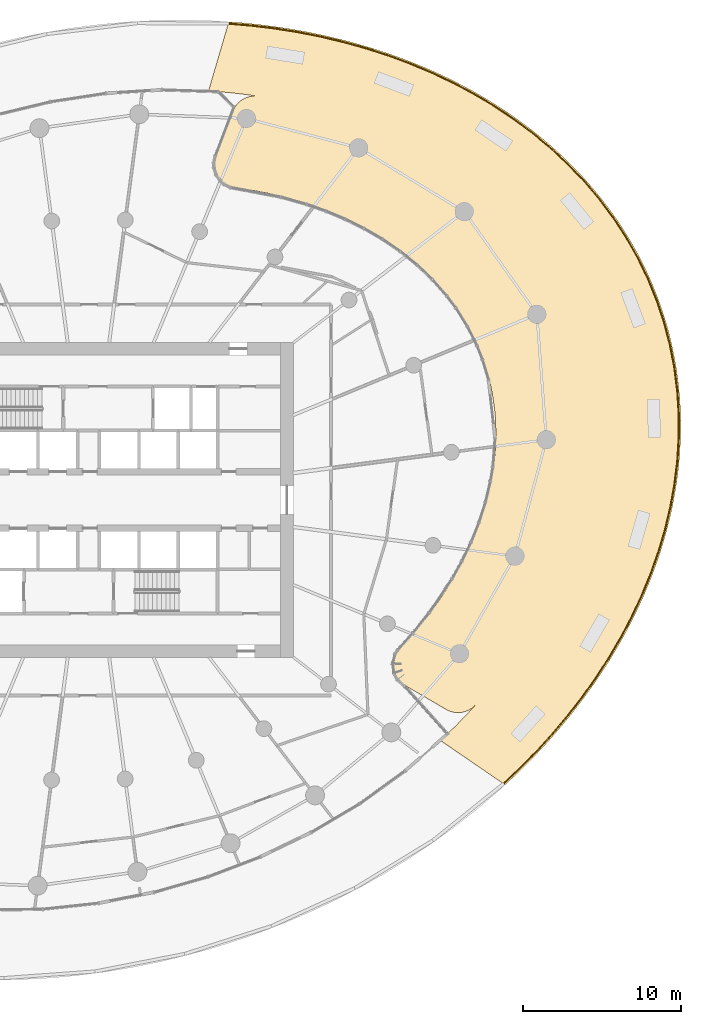
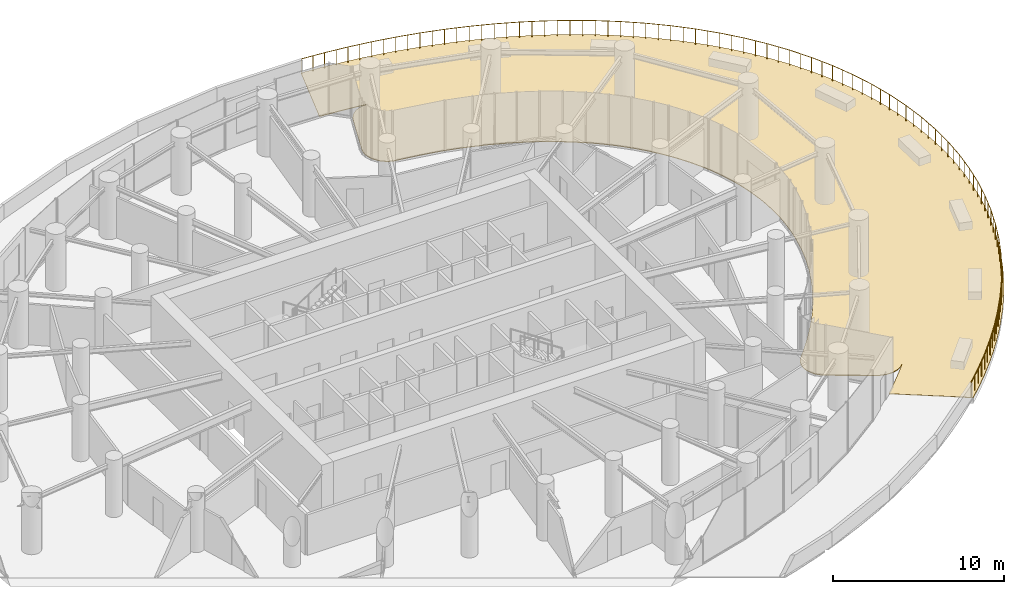
# One storey, part 23 of 24: 1 covering, 1 railing.
"""IFC4 building model written with IfcOpenShell, lengths in metres."""

import ifcopenshell
import ifcopenshell.guid

model = None  # the IFC model being written
_history = None  # IfcOwnerHistory: only IFC2X3 demands one
_inside = {}  # id of a spatial element -> (the spatial element, [elements in it])
_under = {}  # id of a project, library or spatial element -> (it, [spatial elements below it])
_declared = {}  # id of a project -> (the project, [libraries it declares])
_typed = {}  # id of a type object -> (the type object, [elements of that type])
_made_of = {}  # id of a material, layer set ... -> (it, [elements and type objects made of it])


def new_model(schema):
    """Start an empty IFC model of exactly this schema.

    Asked for "IFC4X3", IfcOpenShell would pick the latest addendum, in which some entities
    have other attributes; the version numbers below select the first issue.
    IFC2X3 requires an IfcOwnerHistory on every rooted entity: one is made here for all.
    """
    global model, _history
    if schema == "IFC4X3":
        model = ifcopenshell.file(schema_version=(4, 3, 0, 0))
    else:
        model = ifcopenshell.file(schema=schema)
    _inside.clear()
    _under.clear()
    _declared.clear()
    _typed.clear()
    _made_of.clear()
    _history = None
    if model.schema == "IFC2X3":
        org = make("IfcOrganization", Name="unknown")
        user = make(
            "IfcPersonAndOrganization",
            ThePerson=make("IfcPerson", FamilyName="unknown"),
            TheOrganization=org,
        )
        app = make(
            "IfcApplication",
            ApplicationDeveloper=org,
            Version="unknown",
            ApplicationFullName="unknown",
            ApplicationIdentifier="unknown",
        )
        _history = make(
            "IfcOwnerHistory",
            OwningUser=user,
            OwningApplication=app,
            ChangeAction="ADDED",
            CreationDate=0,
        )
    return model


def make(cls, **values):
    """One entity of the class cls with the attributes given. An attribute that is None is left unset."""
    return model.create_entity(
        cls, **{name: value for name, value in values.items() if value is not None}
    )


def rooted(cls, **values):
    """An entity with a GlobalId (a new one), such as an element, a storey or a relation."""
    return make(cls, GlobalId=ifcopenshell.guid.new(), OwnerHistory=_history, **values)


def si_unit(unit_type, name, prefix=None):
    """IfcSIUnit, for example si_unit("LENGTHUNIT", "METRE", prefix="MILLI")."""
    return make("IfcSIUnit", UnitType=unit_type, Prefix=prefix, Name=name)


def assignment(units):
    """IfcUnitAssignment: the units of a project."""
    return None if units is None else make("IfcUnitAssignment", Units=units)


def point(xyz):
    """IfcCartesianPoint."""
    return None if xyz is None else make("IfcCartesianPoint", Coordinates=xyz)


def direction(xyz):
    """IfcDirection."""
    return None if xyz is None else make("IfcDirection", DirectionRatios=xyz)


def frame(location, z_axis=None, x_axis=None):
    """IfcAxis2Placement3D, a coordinate frame: its origin and axes. An axis left out is left unset."""
    return make(
        "IfcAxis2Placement3D",
        Location=point(location),
        Axis=direction(z_axis),
        RefDirection=direction(x_axis),
    )


def frame_2d(location, x_axis=None):
    """IfcAxis2Placement2D, a coordinate frame in the plane: its origin and x axis."""
    return make(
        "IfcAxis2Placement2D", Location=point(location), RefDirection=direction(x_axis)
    )


def origin():
    """The frame at (0, 0, 0) with its axes left unset."""
    return frame((0.0, 0.0, 0.0))


def origin_2d():
    """The frame at (0, 0) in the plane with its x axis left unset."""
    return frame_2d((0.0, 0.0))


def place(relative_to, where):
    """IfcLocalPlacement: puts the frame where relative to a parent placement (None: the world)."""
    return make(
        "IfcLocalPlacement", PlacementRelTo=relative_to, RelativePlacement=where
    )


def context(
    kind, dimensions, precision=None, world=None, true_north=None, identifier=None
):
    """IfcGeometricRepresentationContext, for example the 3D "Model" context."""
    return make(
        "IfcGeometricRepresentationContext",
        ContextIdentifier=identifier,
        ContextType=kind,
        CoordinateSpaceDimension=dimensions,
        Precision=precision,
        WorldCoordinateSystem=world,
        TrueNorth=true_north,
    )


def subcontext(parent, identifier, kind, view, scale=None):
    """IfcGeometricRepresentationSubContext, for example "Body" below "Model"."""
    return make(
        "IfcGeometricRepresentationSubContext",
        ContextIdentifier=identifier,
        ContextType=kind,
        ParentContext=parent,
        TargetScale=scale,
        TargetView=view,
    )


def project(units=None, contexts=None):
    """IfcProject with its units and contexts."""
    return rooted(
        "IfcProject",
        Name="project",
        RepresentationContexts=contexts,
        UnitsInContext=assignment(units),
    )


def spatial(cls, under=None, at=None, **own):
    """A site, building, storey or space (cls), placed at a placement, below another one or the project."""
    s = rooted(cls, ObjectPlacement=at, **own)
    if under is not None:
        _under.setdefault(under.id(), (under, []))[1].append(s)
    return s


def point_list(points):
    """IfcCartesianPointList2D or 3D."""
    cls = (
        "IfcCartesianPointList2D" if len(points[0]) == 2 else "IfcCartesianPointList3D"
    )
    return make(cls, CoordList=points)


def line(*indices):
    """IfcLineIndex: a straight run through numbered points of an indexed curve."""
    return model.create_entity("IfcLineIndex", indices)


def indexed_curve(points, segments=None, self_intersect=None):
    """IfcIndexedPolyCurve: lines and arcs through numbered points (the first is 1)."""
    return make(
        "IfcIndexedPolyCurve",
        Points=point_list(points),
        Segments=segments,
        SelfIntersect=self_intersect,
    )


def profile(cls, at=None, kind="AREA", **sizes):
    """A parametric profile (cls). Its sizes go by their IFC names, for example OverallWidth=200.0."""
    return make(cls, ProfileType=kind, Position=at, **sizes)


def circle(**sizes):
    """IfcCircleProfileDef."""
    return profile("IfcCircleProfileDef", **sizes)


def outline(outer, holes=None, kind="AREA"):
    """IfcArbitraryClosedProfileDef: a profile drawn as a closed curve; with holes, ...WithVoids."""
    if holes is None:
        return make("IfcArbitraryClosedProfileDef", ProfileType=kind, OuterCurve=outer)
    return make(
        "IfcArbitraryProfileDefWithVoids",
        ProfileType=kind,
        OuterCurve=outer,
        InnerCurves=holes,
    )


def extrude(swept, where, along, depth):
    """IfcExtrudedAreaSolid: the profile swept, set in the frame where, extruded along a direction by depth."""
    return make(
        "IfcExtrudedAreaSolid",
        SweptArea=swept,
        Position=where,
        ExtrudedDirection=direction(along),
        Depth=depth,
    )


def shape(context_of_items, identifier, shape_type, items):
    """IfcShapeRepresentation: the items that make up one representation, for example the "Body"."""
    return make(
        "IfcShapeRepresentation",
        ContextOfItems=context_of_items,
        RepresentationIdentifier=identifier,
        RepresentationType=shape_type,
        Items=items,
    )


def material(Name=None, Category=None):
    """IfcMaterial."""
    return make("IfcMaterial", Name=Name, Category=Category)


def layer(
    of_material, thickness, ventilated=None, Name=None, Category=None, Priority=None
):
    """IfcMaterialLayer: one layer of a wall or slab, of a material (None: an air gap)."""
    return make(
        "IfcMaterialLayer",
        Material=of_material,
        LayerThickness=thickness,
        IsVentilated=ventilated,
        Name=Name,
        Category=Category,
        Priority=Priority,
    )


def layer_set(layers, Name=None):
    """IfcMaterialLayerSet."""
    return make("IfcMaterialLayerSet", MaterialLayers=layers, LayerSetName=Name)


def made_of(thing, what):
    """Note that an element or type object is made of a material, layer set ...; save() writes the relation."""
    if what is not None:
        _made_of.setdefault(what.id(), (what, []))[1].append(thing)
    return thing


def type_object(cls, material=None, **own):
    """A type object (cls), such as IfcWallType, which elements share."""
    return made_of(rooted(cls, **own), material)


def element(
    cls,
    number,
    at=None,
    inside=None,
    cuts=None,
    type_object=None,
    material=None,
    context=None,
    identifier="Body",
    shape_type=None,
    held_by="IfcProductDefinitionShape",
    body=None,
    shapes=None,
    **own,
):
    """One element of the class cls, such as IfcWall. Its Tag is "e" and its number.

    at: its placement. inside: the storey or other place that contains it. cuts: it is an
    opening in that element (IfcRelVoidsElement). A single representation is given by context,
    identifier, shape_type and body (its items); several are given by shapes. held_by: the class
    of the entity that holds the representations. save() writes the other relations.
    """
    e = rooted(cls, Tag="e%d" % number, ObjectPlacement=at, **own)
    if body is not None:
        shapes = [shape(context, identifier, shape_type, body)]
    if shapes is not None:
        e.Representation = make(held_by, Representations=shapes)
    if inside is not None:
        _inside.setdefault(inside.id(), (inside, []))[1].append(e)
    if cuts is not None:
        rooted(
            "IfcRelVoidsElement", RelatingBuildingElement=cuts, RelatedOpeningElement=e
        )
    if type_object is not None:
        _typed.setdefault(type_object.id(), (type_object, []))[1].append(e)
    return made_of(e, material)


def aggregate(whole, parts):
    """IfcRelAggregates: a whole, such as a stair, and the parts it consists of."""
    return rooted("IfcRelAggregates", RelatingObject=whole, RelatedObjects=parts)


def save(model, path):
    """Write the relations noted so far, then the file.

    IfcRelAggregates (storeys below a building ...), IfcRelContainedInSpatialStructure (elements
    in a storey), IfcRelDefinesByType, IfcRelAssociatesMaterial and IfcRelDeclares: one each for
    every whole, place, type object, material and project.
    """
    for whole, parts in _under.values():
        aggregate(whole, parts)
    for where, things in _inside.values():
        rooted(
            "IfcRelContainedInSpatialStructure",
            RelatedElements=things,
            RelatingStructure=where,
        )
    for kind, things in _typed.values():
        rooted("IfcRelDefinesByType", RelatedObjects=things, RelatingType=kind)
    for what, things in _made_of.values():
        rooted("IfcRelAssociatesMaterial", RelatedObjects=things, RelatingMaterial=what)
    for by, libraries in _declared.values():
        rooted("IfcRelDeclares", RelatingContext=by, RelatedDefinitions=libraries)
    model.write(path)


model = new_model("IFC4")

# Units and contexts
model_context = context("Model", 3, precision=1e-05, world=origin(), true_north=direction((0.0, 1.0)))
body_context = subcontext(model_context, "Body", "Model", "MODEL_VIEW")
ifc_project = project(units=[si_unit("LENGTHUNIT", "METRE"), si_unit("AREAUNIT", "SQUARE_METRE"), si_unit("VOLUMEUNIT", "CUBIC_METRE"), si_unit("PLANEANGLEUNIT", "RADIAN"), si_unit("MASSUNIT", "GRAM", prefix="KILO")], contexts=[model_context])

# Site, building, storey
site_placement = place(None, origin())
site = spatial("IfcSite", under=ifc_project, at=site_placement, CompositionType="ELEMENT")
building_placement = place(site_placement, origin())
building = spatial("IfcBuilding", under=site, at=building_placement, Name="Spindrift Exchange Tower", CompositionType="ELEMENT")
storey_placement = place(building_placement, frame((0.0, 0.0, 79.800048828125)))
storey = spatial("IfcBuildingStorey", under=building, at=storey_placement, Name="L18", CompositionType="ELEMENT", Elevation=79.800048828125)

# Covering
ifc_material_1 = material(Name="Hardwood timber decking on pedestals", Category="wood")
ifc_layer = layer(ifc_material_1, 0.0400390625)
ifc_layer_set = layer_set([ifc_layer], Name="TERRACE DECKING 40")
covering_type = type_object("IfcCoveringType", Name="TERRACE DECKING 40", PredefinedType="FLOORING", material=ifc_layer_set)
covering_placement = place(storey_placement, origin())
element("IfcCovering", 1, at=covering_placement, inside=storey, type_object=covering_type, Name="L18 Terrace Decking 1", PredefinedType="FLOORING", context=body_context, shape_type="SweptSolid", body=[
    extrude(outline(indexed_curve([(62.740234375, 73.623046875), (61.9794921875, 73.732421875), (60.9765625, 73.8486328125), (59.677734375, 73.9560546875), (59.6396484375, 73.9853515625), (59.6376953125, 74.01953125), (60.8984375, 78.3134765625), (60.9306640625, 78.34765625), (61.6298828125, 78.2958984375), (62.8125, 78.1767578125), (64.5810546875, 77.9345703125), (65.751953125, 77.73046875), (66.916015625, 77.4912109375), (68.6484375, 77.06640625), (70.359375, 76.5595703125), (70.923828125, 76.3720703125), (72.04296875, 75.96875), (73.146484375, 75.5283203125), (73.693359375, 75.29296875), (74.771484375, 74.794921875), (75.3056640625, 74.5302734375), (76.3544921875, 73.97265625), (76.8720703125, 73.6787109375), (77.8876953125, 73.0615234375), (78.8798828125, 72.4033203125), (79.841796875, 71.7060546875), (80.7744140625, 70.966796875), (81.673828125, 70.189453125), (82.5380859375, 69.3720703125), (83.36328125, 68.5166015625), (84.1474609375, 67.6220703125), (84.888671875, 66.69140625), (85.58203125, 65.7265625), (86.2275390625, 64.7275390625), (86.8212890625, 63.697265625), (87.361328125, 62.6376953125), (87.845703125, 61.5517578125), (88.2724609375, 60.4423828125), (88.640625, 59.3125), (88.802734375, 58.7392578125), (88.94921875, 58.162109375), (89.197265625, 56.9990234375), (89.298828125, 56.4130859375), (89.4560546875, 55.234375), (89.5537109375, 54.0498046875), (89.5908203125, 52.861328125), (89.5869140625, 52.2666015625), (89.537109375, 51.078125), (89.4296875, 49.8955078125), (89.2666015625, 48.7177734375), (89.0498046875, 47.548828125), (88.921875, 46.9658203125), (88.6279296875, 45.8154296875), (88.28515625, 44.6767578125), (88.095703125, 44.1123046875), (87.6826171875, 42.9970703125), (87.2255859375, 41.8994140625), (86.7255859375, 40.8203125), (86.185546875, 39.76171875), (85.607421875, 38.72265625), (84.9921875, 37.7041015625), (84.3427734375, 36.708984375), (83.3046875, 35.2568359375), (82.5751953125, 34.318359375), (81.8154296875, 33.40234375), (81.029296875, 32.51171875), (80.21484375, 31.64453125), (79.3759765625, 30.8017578125), (78.4580078125, 29.9375), (78.412109375, 29.943359375), (74.3681640625, 32.71875), (74.376953125, 32.76953125), (75.3134765625, 33.6748046875), (76.0166015625, 34.4013671875), (76.537109375, 34.9677734375), (76.349609375, 34.798828125), (76.103515625, 34.6494140625), (75.9609375, 34.58984375), (75.6845703125, 34.51953125), (75.53125, 34.5029296875), (75.244140625, 34.5146484375), (74.9609375, 34.5830078125), (74.8203125, 34.6396484375), (72.0908203125, 36.23046875), (71.849609375, 36.4052734375), (71.64453125, 36.6279296875), (71.490234375, 36.8857421875), (71.3896484375, 37.16796875), (71.34765625, 37.46484375), (71.3486328125, 37.6201171875), (71.396484375, 37.9140625), (71.5009765625, 38.1904296875), (71.5771484375, 38.328125), (71.7578125, 38.560546875), (72.3486328125, 39.20703125), (72.8818359375, 39.828125), (73.6650390625, 40.8173828125), (74.162109375, 41.5009765625), (74.634765625, 42.19921875), (75.3203125, 43.322265625), (75.943359375, 44.490234375), (76.4912109375, 45.6953125), (76.6650390625, 46.12890625), (76.966796875, 46.962890625), (77.234375, 47.8330078125), (77.357421875, 48.2939453125), (77.5537109375, 49.1689453125), (77.708984375, 50.09765625), (77.806640625, 50.994140625), (77.8369140625, 51.455078125), (77.853515625, 52.404296875), (77.814453125, 53.3056640625), (77.771484375, 53.767578125), (77.6376953125, 54.7109375), (77.451171875, 55.59375), (77.333984375, 56.04296875), (77.0439453125, 56.951171875), (76.701171875, 57.814453125), (76.5087890625, 58.236328125), (76.09375, 59.0380859375), (75.6005859375, 59.8525390625), (75.0830078125, 60.5927734375), (74.78515625, 60.978515625), (74.4912109375, 61.3359375), (73.88671875, 62.005859375), (73.2119140625, 62.66796875), (72.8701171875, 62.9765625), (72.177734375, 63.5498046875), (71.7978515625, 63.8388671875), (71.06640625, 64.3525390625), (70.2822265625, 64.8466796875), (69.5126953125, 65.2822265625), (69.099609375, 65.4970703125), (67.9052734375, 66.0546875), (66.6806640625, 66.5380859375), (65.451171875, 66.943359375), (64.2099609375, 67.2802734375), (63.4072265625, 67.4619140625), (62.5966796875, 67.619140625), (61.1669921875, 67.8427734375), (60.8896484375, 67.9365234375), (60.751953125, 68.0078125), (60.5126953125, 68.1796875), (60.3994140625, 68.2900390625), (60.2197265625, 68.5302734375), (60.1494140625, 68.6630859375), (60.0498046875, 68.9384765625), (60.005859375, 69.2373046875), (60.0224609375, 69.5400390625), (60.0986328125, 69.830078125), (61.203125, 72.7880859375), (61.27734375, 72.9228515625), (61.453125, 73.154296875), (61.6689453125, 73.3466796875), (61.796875, 73.4306640625), (62.056640625, 73.55078125), (62.2041015625, 73.5947265625), (62.4892578125, 73.634765625)], segments=[line(1, 2, 3, 4, 5, 6, 7, 8, 9, 10, 11, 12, 13, 14, 15, 16, 17, 18, 19, 20, 21, 22, 23, 24, 25, 26, 27, 28, 29, 30, 31, 32, 33, 34, 35, 36, 37, 38, 39, 40, 41, 42, 43, 44, 45, 46, 47, 48, 49, 50, 51, 52, 53, 54, 55, 56, 57, 58, 59, 60, 61, 62, 63, 64, 65, 66, 67, 68, 69, 70, 71, 72, 73, 74, 75, 76, 77, 78, 79, 80, 81, 82, 83, 84, 85, 86, 87, 88, 89, 90, 91, 92, 93, 94, 95, 96, 97, 98, 99, 100, 101, 102, 103, 104, 105, 106, 107, 108, 109, 110, 111, 112, 113, 114, 115, 116, 117, 118, 119, 120, 121, 122, 123, 124, 125, 126, 127, 128, 129, 130, 131, 132, 133, 134, 135, 136, 137, 138, 139, 140, 141, 142, 143, 144, 145, 146, 147, 148, 149, 150, 151, 152, 153, 154, 155, 156, 157, 158, 1)], self_intersect=False)), origin(), (0.0, 0.0, 1.0), 0.0400390625),
])

# Railing
ifc_material_2 = material(Name="Bronze anodised aluminium balustrade", Category="aluminium")
railing_type = type_object("IfcRailingType", Name="TERRACE GUARDRAIL 1150", PredefinedType="GUARDRAIL", material=ifc_material_2)
railing_placement = place(storey_placement, frame((60.885009765625, 78.233642578125, 0.0)))
element("IfcRailing", 2, at=railing_placement, inside=storey, type_object=railing_type, Name="L18 Sky Garden Guardrail 1", PredefinedType="GUARDRAIL", context=body_context, shape_type="SweptSolid", body=[
    extrude(circle(Radius=0.02392578125, at=origin_2d()), frame((0.0, 0.0, 1.1259765625), z_axis=(0.996214025531, -0.086934546273, 0.0), x_axis=(0.086934546273, 0.996214025531, 0.0)), (0.0, 0.0, 1.0), 1.485595703125),
    extrude(circle(Radius=0.02392578125, at=origin_2d()), frame((1.47998046875, -0.129150390625, 1.1259765625), z_axis=(0.992543455277, -0.121891301525, 0.0), x_axis=(0.121891301525, 0.992543455277, 0.0)), (0.0, 0.0, 1.0), 1.486083984375),
    extrude(circle(Radius=0.02392578125, at=origin_2d()), frame((2.955078125, -0.310302734375, 1.1259765625), z_axis=(0.987507191137, -0.157573942812, 0.0), x_axis=(0.157573942812, 0.987507191137, 0.0)), (0.0, 0.0, 1.0), 1.48583984375),
    extrude(circle(Radius=0.02392578125, at=origin_2d()), frame((4.42236328125, -0.54443359375, 1.1259765625), z_axis=(0.980989324009, -0.194061707145, 0.0), x_axis=(0.194061707145, 0.980989324009, 0.0)), (0.0, 0.0, 1.0), 1.48583984375),
    extrude(circle(Radius=0.02392578125, at=origin_2d()), frame((5.8798828125, -0.832763671875, 1.1259765625), z_axis=(0.972871405929, -0.231346552871, 0.0), x_axis=(0.231346552871, 0.972871405929, 0.0)), (0.0, 0.0, 1.0), 1.48583984375),
    extrude(circle(Radius=0.02392578125, at=origin_2d()), frame((7.325439453125, -1.176513671875, 1.1259765625), z_axis=(0.963064622526, -0.269270371259, 0.0), x_axis=(0.269270371259, 0.963064622526, 0.0)), (0.0, 0.0, 1.0), 1.486083984375),
    extrude(circle(Radius=0.02392578125, at=origin_2d()), frame((8.756591796875, -1.57666015625, 1.1259765625), z_axis=(0.951343961337, -0.308130925463, 0.0), x_axis=(0.308130925463, 0.951343961337, 0.0)), (0.0, 0.0, 1.0), 1.485595703125),
    extrude(circle(Radius=0.02392578125, at=origin_2d()), frame((10.169921875, -2.034423828125, 1.1259765625), z_axis=(0.937625828363, -0.347646093011, 0.0), x_axis=(0.347646093011, 0.937625828363, 0.0)), (0.0, 0.0, 1.0), 1.486083984375),
    extrude(circle(Radius=0.02392578125, at=origin_2d()), frame((11.563232421875, -2.551025390625, 1.1259765625), z_axis=(0.921533268578, -0.388299413989, 0.0), x_axis=(0.388299413989, 0.921533268578, 0.0)), (0.0, 0.0, 1.0), 1.48583984375),
    extrude(circle(Radius=0.02392578125, at=origin_2d()), frame((12.932373046875, -3.1279296875, 1.1259765625), z_axis=(0.903406395496, -0.428785359564, 0.0), x_axis=(0.428785359564, 0.903406395496, 0.0)), (0.0, 0.0, 1.0), 1.486083984375),
    extrude(circle(Radius=0.02392578125, at=origin_2d()), frame((14.27490234375, -3.76513671875, 1.1259765625), z_axis=(0.882248298723, -0.47078438738, 0.0), x_axis=(0.47078438738, 0.882248298723, 0.0)), (0.0, 0.0, 1.0), 1.48583984375),
    extrude(circle(Radius=0.02392578125, at=origin_2d()), frame((15.585693359375, -4.464599609375, 1.1259765625), z_axis=(0.858766229692, -0.512367605086, 0.0), x_axis=(0.512367605086, 0.858766229692, 0.0)), (0.0, 0.0, 1.0), 1.485595703125),
    extrude(circle(Radius=0.02392578125, at=origin_2d()), frame((16.861572265625, -5.225830078125, 1.1259765625), z_axis=(0.831721534528, -0.555193019591, 0.0), x_axis=(0.555193019591, 0.831721534528, 0.0)), (0.0, 0.0, 1.0), 1.48583984375),
    extrude(circle(Radius=0.02392578125, at=origin_2d()), frame((18.097412109375, -6.05078125, 1.1259765625), z_axis=(0.802379616169, -0.596814000804, 0.0), x_axis=(0.596814000804, 0.802379616169, 0.0)), (0.0, 0.0, 1.0), 1.48583984375),
    extrude(circle(Radius=0.02392578125, at=origin_2d()), frame((19.28955078125, -6.9375, 1.1259765625), z_axis=(0.768436759141, -0.639925735692, 0.0), x_axis=(0.639925735692, 0.768436759141, 0.0)), (0.0, 0.0, 1.0), 1.485595703125),
    extrude(circle(Radius=0.02392578125, at=origin_2d()), frame((20.43115234375, -7.88818359375, 1.1259765625), z_axis=(0.732512519497, -0.680753559506, 0.0), x_axis=(0.680753559506, 0.732512519497, 0.0)), (0.0, 0.0, 1.0), 1.48583984375),
    extrude(circle(Radius=0.02392578125, at=origin_2d()), frame((21.51953125, -8.899658203125, 1.1259765625), z_axis=(0.691323376685, -0.72254549258, 0.0), x_axis=(0.72254549258, 0.691323376685, 0.0)), (0.0, 0.0, 1.0), 1.485595703125),
    extrude(circle(Radius=0.02392578125, at=origin_2d()), frame((22.546630859375, -9.97314453125, 1.1259765625), z_axis=(0.648406499014, -0.761294300541, 0.0), x_axis=(0.761294300541, 0.648406499014, 0.0)), (0.0, 0.0, 1.0), 1.48583984375),
    extrude(circle(Radius=0.02392578125, at=origin_2d()), frame((23.510009765625, -11.104248046875, 1.1259765625), z_axis=(0.5996318424, -0.800275985883, 0.0), x_axis=(0.800275985883, 0.5996318424, 0.0)), (0.0, 0.0, 1.0), 1.485595703125),
    extrude(circle(Radius=0.02392578125, at=origin_2d()), frame((24.40087890625, -12.293212890625, 1.1259765625), z_axis=(0.550141516241, -0.83507144132, 0.0), x_axis=(0.83507144132, 0.550141516241, 0.0)), (0.0, 0.0, 1.0), 1.48583984375),
    extrude(circle(Radius=0.02392578125, at=origin_2d()), frame((25.21826171875, -13.533935546875, 1.1259765625), z_axis=(0.494173162237, -0.86936349459, 0.0), x_axis=(0.86936349459, 0.494173162237, 0.0)), (0.0, 0.0, 1.0), 1.485595703125),
    extrude(circle(Radius=0.02392578125, at=origin_2d()), frame((25.952392578125, -14.825439453125, 1.1259765625), z_axis=(0.438847638966, -0.898561489145, 0.0), x_axis=(0.898561489145, 0.438847638966, 0.0)), (0.0, 0.0, 1.0), 1.48583984375),
    extrude(circle(Radius=0.02392578125, at=origin_2d()), frame((26.6044921875, -16.16064453125, 1.1259765625), z_axis=(0.377333429353, -0.926077471431, 0.0), x_axis=(0.926077471431, 0.377333429353, 0.0)), (0.0, 0.0, 1.0), 1.485595703125),
    extrude(circle(Radius=0.02392578125, at=origin_2d()), frame((27.1650390625, -17.536376953125, 1.1259765625), z_axis=(0.317657110411, -0.948205652907, 0.0), x_axis=(0.948205652907, 0.317657110411, 0.0)), (0.0, 0.0, 1.0), 1.485595703125),
    extrude(circle(Radius=0.02392578125, at=origin_2d()), frame((27.636962890625, -18.945068359375, 1.1259765625), z_axis=(0.252381764321, -0.967627740941, 0.0), x_axis=(0.967627740941, 0.252381764321, 0.0)), (0.0, 0.0, 1.0), 1.48583984375),
    extrude(circle(Radius=0.02392578125, at=origin_2d()), frame((28.011962890625, -20.3828125, 1.1259765625), z_axis=(0.19112036904, -0.981566607286, 0.0), x_axis=(0.981566607286, 0.19112036904, 0.0)), (0.0, 0.0, 1.0), 1.485595703125),
    extrude(circle(Radius=0.02392578125, at=origin_2d()), frame((28.2958984375, -21.841064453125, 1.1259765625), z_axis=(0.12456056653, -0.992212006209, 0.0), x_axis=(0.992212006209, 0.12456056653, 0.0)), (0.0, 0.0, 1.0), 1.485595703125),
    extrude(circle(Radius=0.02392578125, at=origin_2d()), frame((28.48095703125, -23.315185546875, 1.1259765625), z_axis=(0.063268347146, -0.997996551221, 0.0), x_axis=(0.997996551221, 0.063268347146, 0.0)), (0.0, 0.0, 1.0), 1.485595703125),
    extrude(circle(Radius=0.02392578125, at=origin_2d()), frame((28.574951171875, -24.7978515625, 1.1259765625), z_axis=(-0.001478802195, -0.999998906571, 0.0), x_axis=(0.999998906571, -0.001478802195, 0.0)), (0.0, 0.0, 1.0), 1.48583984375),
    extrude(circle(Radius=0.02392578125, at=origin_2d()), frame((28.57275390625, -26.28369140625, 1.1259765625), z_axis=(-0.060638945279, -0.998159765927, 0.0), x_axis=(0.998159765927, -0.060638945279, 0.0)), (0.0, 0.0, 1.0), 1.485595703125),
    extrude(circle(Radius=0.02392578125, at=origin_2d()), frame((28.482666015625, -27.7666015625, 1.1259765625), z_axis=(-0.121911179006, -0.99254101398, 0.0), x_axis=(0.99254101398, -0.121911179006, 0.0)), (0.0, 0.0, 1.0), 1.48583984375),
    extrude(circle(Radius=0.02392578125, at=origin_2d()), frame((28.301513671875, -29.241455078125, 1.1259765625), z_axis=(-0.177308982719, -0.984155234019, 0.0), x_axis=(0.984155234019, -0.177308982719, 0.0)), (0.0, 0.0, 1.0), 1.485595703125),
    extrude(circle(Radius=0.02392578125, at=origin_2d()), frame((28.0380859375, -30.70361328125, 1.1259765625), z_axis=(-0.23351590147, -0.972352983109, 0.0), x_axis=(0.972352983109, -0.23351590147, 0.0)), (0.0, 0.0, 1.0), 1.485595703125),
    extrude(circle(Radius=0.02392578125, at=origin_2d()), frame((27.691162109375, -32.148193359375, 1.1259765625), z_axis=(-0.284558182168, -0.958658771911, 0.0), x_axis=(0.958658771911, -0.284558182168, 0.0)), (0.0, 0.0, 1.0), 1.486083984375),
    extrude(circle(Radius=0.02392578125, at=origin_2d()), frame((27.268310546875, -33.57275390625, 1.1259765625), z_axis=(-0.33558671169, -0.942009319984, 0.0), x_axis=(0.942009319984, -0.33558671169, 0.0)), (0.0, 0.0, 1.0), 1.485595703125),
    extrude(circle(Radius=0.02392578125, at=origin_2d()), frame((26.769775390625, -34.97216796875, 1.1259765625), z_axis=(-0.381369537945, -0.92442267147, 0.0), x_axis=(0.92442267147, -0.381369537945, 0.0)), (0.0, 0.0, 1.0), 1.48583984375),
    extrude(circle(Radius=0.02392578125, at=origin_2d()), frame((26.203125, -36.345703125, 1.1259765625), z_axis=(-0.426857028221, -0.904319123683, 0.0), x_axis=(0.904319123683, -0.426857028221, 0.0)), (0.0, 0.0, 1.0), 1.48583984375),
    extrude(circle(Radius=0.02392578125, at=origin_2d()), frame((25.56884765625, -37.689453125, 1.1259765625), z_axis=(-0.467993417074, -0.883731951202, 0.0), x_axis=(0.883731951202, -0.467993417074, 0.0)), (0.0, 0.0, 1.0), 1.48583984375),
    extrude(circle(Radius=0.02392578125, at=origin_2d()), frame((24.87353515625, -39.00244140625, 1.1259765625), z_axis=(-0.50817567406, -0.861253437899, 0.0), x_axis=(0.861253437899, -0.50817567406, 0.0)), (0.0, 0.0, 1.0), 1.48583984375),
    extrude(circle(Radius=0.02392578125, at=origin_2d()), frame((24.118408203125, -40.2822265625, 1.1259765625), z_axis=(-0.544687994882, -0.838638771004, 0.0), x_axis=(0.838638771004, -0.544687994882, 0.0)), (0.0, 0.0, 1.0), 1.48583984375),
    extrude(circle(Radius=0.02392578125, at=origin_2d()), frame((23.30908203125, -41.5283203125, 1.1259765625), z_axis=(-0.580071768855, -0.814565370598, 0.0), x_axis=(0.814565370598, -0.580071768855, 0.0)), (0.0, 0.0, 1.0), 1.485595703125),
    extrude(circle(Radius=0.02392578125, at=origin_2d()), frame((22.447265625, -42.738525390625, 1.1259765625), z_axis=(-0.612517773477, -0.790456815503, 0.0), x_axis=(0.790456815503, -0.612517773477, 0.0)), (0.0, 0.0, 1.0), 1.48583984375),
    extrude(circle(Radius=0.02392578125, at=origin_2d()), frame((21.537109375, -43.9130859375, 1.1259765625), z_axis=(-0.64360431085, -0.765358406928, 0.0), x_axis=(0.765358406928, -0.64360431085, 0.0)), (0.0, 0.0, 1.0), 1.48583984375),
    extrude(circle(Radius=0.02392578125, at=origin_2d()), frame((20.580810546875, -45.05029296875, 1.1259765625), z_axis=(-0.672108364336, -0.740452798353, 0.0), x_axis=(0.740452798353, -0.672108364336, 0.0)), (0.0, 0.0, 1.0), 1.486083984375),
    extrude(circle(Radius=0.02392578125, at=origin_2d()), frame((19.58203125, -46.150634765625, 1.1259765625), z_axis=(-0.699673726446, -0.714462508828, 0.0), x_axis=(0.714462508828, -0.699673726446, 0.0)), (0.0, 0.0, 1.0), 1.48583984375),
    extrude(circle(Radius=0.02392578125, at=origin_2d()), frame((18.54248046875, -47.212158203125, 1.1259765625), z_axis=(-0.724790174766, -0.688969667375, 0.0), x_axis=(0.688969667375, -0.724790174766, 0.0)), (0.0, 0.0, 1.0), 1.48583984375),
    extrude(circle(Radius=0.02099609375, at=origin_2d()), origin(), (0.0, 0.0, 1.0), 1.101806640625),
    extrude(circle(Radius=0.02099609375, at=origin_2d()), frame((0.739990234375, -0.064453125, 0.0)), (0.0, 0.0, 1.0), 1.101806640625),
    extrude(circle(Radius=0.02099609375, at=origin_2d()), frame((1.47998046875, -0.129150390625, 0.0)), (0.0, 0.0, 1.0), 1.101806640625),
    extrude(circle(Radius=0.02099609375, at=origin_2d()), frame((2.217529296875, -0.2197265625, 0.0)), (0.0, 0.0, 1.0), 1.101806640625),
    extrude(circle(Radius=0.02099609375, at=origin_2d()), frame((2.955078125, -0.310302734375, 0.0)), (0.0, 0.0, 1.0), 1.101806640625),
    extrude(circle(Radius=0.02099609375, at=origin_2d()), frame((3.688720703125, -0.42724609375, 0.0)), (0.0, 0.0, 1.0), 1.101806640625),
    extrude(circle(Radius=0.02099609375, at=origin_2d()), frame((4.42236328125, -0.54443359375, 0.0)), (0.0, 0.0, 1.0), 1.101806640625),
    extrude(circle(Radius=0.02099609375, at=origin_2d()), frame((5.151123046875, -0.6884765625, 0.0)), (0.0, 0.0, 1.0), 1.101806640625),
    extrude(circle(Radius=0.02099609375, at=origin_2d()), frame((5.8798828125, -0.832763671875, 0.0)), (0.0, 0.0, 1.0), 1.101806640625),
    extrude(circle(Radius=0.02099609375, at=origin_2d()), frame((6.6025390625, -1.004638671875, 0.0)), (0.0, 0.0, 1.0), 1.101806640625),
    extrude(circle(Radius=0.02099609375, at=origin_2d()), frame((7.325439453125, -1.176513671875, 0.0)), (0.0, 0.0, 1.0), 1.101806640625),
    extrude(circle(Radius=0.02099609375, at=origin_2d()), frame((8.041015625, -1.37646484375, 0.0)), (0.0, 0.0, 1.0), 1.101806640625),
    extrude(circle(Radius=0.02099609375, at=origin_2d()), frame((8.756591796875, -1.57666015625, 0.0)), (0.0, 0.0, 1.0), 1.101806640625),
    extrude(circle(Radius=0.02099609375, at=origin_2d()), frame((9.46337890625, -1.8056640625, 0.0)), (0.0, 0.0, 1.0), 1.101806640625),
    extrude(circle(Radius=0.02099609375, at=origin_2d()), frame((10.169921875, -2.034423828125, 0.0)), (0.0, 0.0, 1.0), 1.101806640625),
    extrude(circle(Radius=0.02099609375, at=origin_2d()), frame((10.86669921875, -2.292724609375, 0.0)), (0.0, 0.0, 1.0), 1.101806640625),
    extrude(circle(Radius=0.02099609375, at=origin_2d()), frame((11.563232421875, -2.551025390625, 0.0)), (0.0, 0.0, 1.0), 1.101806640625),
    extrude(circle(Radius=0.02099609375, at=origin_2d()), frame((12.247802734375, -2.83935546875, 0.0)), (0.0, 0.0, 1.0), 1.101806640625),
    extrude(circle(Radius=0.02099609375, at=origin_2d()), frame((12.932373046875, -3.1279296875, 0.0)), (0.0, 0.0, 1.0), 1.101806640625),
    extrude(circle(Radius=0.02099609375, at=origin_2d()), frame((13.603515625, -3.446533203125, 0.0)), (0.0, 0.0, 1.0), 1.101806640625),
    extrude(circle(Radius=0.02099609375, at=origin_2d()), frame((14.27490234375, -3.76513671875, 0.0)), (0.0, 0.0, 1.0), 1.101806640625),
    extrude(circle(Radius=0.02099609375, at=origin_2d()), frame((14.93017578125, -4.11474609375, 0.0)), (0.0, 0.0, 1.0), 1.101806640625),
    extrude(circle(Radius=0.02099609375, at=origin_2d()), frame((15.585693359375, -4.464599609375, 0.0)), (0.0, 0.0, 1.0), 1.101806640625),
    extrude(circle(Radius=0.02099609375, at=origin_2d()), frame((16.2236328125, -4.84521484375, 0.0)), (0.0, 0.0, 1.0), 1.101806640625),
    extrude(circle(Radius=0.02099609375, at=origin_2d()), frame((16.861572265625, -5.225830078125, 0.0)), (0.0, 0.0, 1.0), 1.101806640625),
    extrude(circle(Radius=0.02099609375, at=origin_2d()), frame((17.4794921875, -5.63818359375, 0.0)), (0.0, 0.0, 1.0), 1.101806640625),
    extrude(circle(Radius=0.02099609375, at=origin_2d()), frame((18.097412109375, -6.05078125, 0.0)), (0.0, 0.0, 1.0), 1.101806640625),
    extrude(circle(Radius=0.02099609375, at=origin_2d()), frame((18.693359375, -6.494140625, 0.0)), (0.0, 0.0, 1.0), 1.101806640625),
    extrude(circle(Radius=0.02099609375, at=origin_2d()), frame((19.28955078125, -6.9375, 0.0)), (0.0, 0.0, 1.0), 1.101806640625),
    extrude(circle(Radius=0.02099609375, at=origin_2d()), frame((19.8603515625, -7.412841796875, 0.0)), (0.0, 0.0, 1.0), 1.101806640625),
    extrude(circle(Radius=0.02099609375, at=origin_2d()), frame((20.43115234375, -7.88818359375, 0.0)), (0.0, 0.0, 1.0), 1.101806640625),
    extrude(circle(Radius=0.02099609375, at=origin_2d()), frame((20.975341796875, -8.39404296875, 0.0)), (0.0, 0.0, 1.0), 1.101806640625),
    extrude(circle(Radius=0.02099609375, at=origin_2d()), frame((21.51953125, -8.899658203125, 0.0)), (0.0, 0.0, 1.0), 1.101806640625),
    extrude(circle(Radius=0.02099609375, at=origin_2d()), frame((22.033203125, -9.4365234375, 0.0)), (0.0, 0.0, 1.0), 1.101806640625),
    extrude(circle(Radius=0.02099609375, at=origin_2d()), frame((22.546630859375, -9.97314453125, 0.0)), (0.0, 0.0, 1.0), 1.101806640625),
    extrude(circle(Radius=0.02099609375, at=origin_2d()), frame((23.0283203125, -10.53857421875, 0.0)), (0.0, 0.0, 1.0), 1.101806640625),
    extrude(circle(Radius=0.02099609375, at=origin_2d()), frame((23.510009765625, -11.104248046875, 0.0)), (0.0, 0.0, 1.0), 1.101806640625),
    extrude(circle(Radius=0.02099609375, at=origin_2d()), frame((23.95556640625, -11.69873046875, 0.0)), (0.0, 0.0, 1.0), 1.101806640625),
    extrude(circle(Radius=0.02099609375, at=origin_2d()), frame((24.40087890625, -12.293212890625, 0.0)), (0.0, 0.0, 1.0), 1.101806640625),
    extrude(circle(Radius=0.02099609375, at=origin_2d()), frame((24.8095703125, -12.91357421875, 0.0)), (0.0, 0.0, 1.0), 1.101806640625),
    extrude(circle(Radius=0.02099609375, at=origin_2d()), frame((25.21826171875, -13.533935546875, 0.0)), (0.0, 0.0, 1.0), 1.101806640625),
    extrude(circle(Radius=0.02099609375, at=origin_2d()), frame((25.58544921875, -14.1796875, 0.0)), (0.0, 0.0, 1.0), 1.101806640625),
    extrude(circle(Radius=0.02099609375, at=origin_2d()), frame((25.952392578125, -14.825439453125, 0.0)), (0.0, 0.0, 1.0), 1.101806640625),
    extrude(circle(Radius=0.02099609375, at=origin_2d()), frame((26.2783203125, -15.4931640625, 0.0)), (0.0, 0.0, 1.0), 1.101806640625),
    extrude(circle(Radius=0.02099609375, at=origin_2d()), frame((26.6044921875, -16.16064453125, 0.0)), (0.0, 0.0, 1.0), 1.101806640625),
    extrude(circle(Radius=0.02099609375, at=origin_2d()), frame((26.884765625, -16.8486328125, 0.0)), (0.0, 0.0, 1.0), 1.101806640625),
    extrude(circle(Radius=0.02099609375, at=origin_2d()), frame((27.1650390625, -17.536376953125, 0.0)), (0.0, 0.0, 1.0), 1.101806640625),
    extrude(circle(Radius=0.02099609375, at=origin_2d()), frame((27.40087890625, -18.24072265625, 0.0)), (0.0, 0.0, 1.0), 1.101806640625),
    extrude(circle(Radius=0.02099609375, at=origin_2d()), frame((27.636962890625, -18.945068359375, 0.0)), (0.0, 0.0, 1.0), 1.101806640625),
    extrude(circle(Radius=0.02099609375, at=origin_2d()), frame((27.824462890625, -19.6640625, 0.0)), (0.0, 0.0, 1.0), 1.101806640625),
    extrude(circle(Radius=0.02099609375, at=origin_2d()), frame((28.011962890625, -20.3828125, 0.0)), (0.0, 0.0, 1.0), 1.101806640625),
    extrude(circle(Radius=0.02099609375, at=origin_2d()), frame((28.15380859375, -21.11181640625, 0.0)), (0.0, 0.0, 1.0), 1.101806640625),
    extrude(circle(Radius=0.02099609375, at=origin_2d()), frame((28.2958984375, -21.841064453125, 0.0)), (0.0, 0.0, 1.0), 1.101806640625),
    extrude(circle(Radius=0.02099609375, at=origin_2d()), frame((28.388427734375, -22.578125, 0.0)), (0.0, 0.0, 1.0), 1.101806640625),
    extrude(circle(Radius=0.02099609375, at=origin_2d()), frame((28.48095703125, -23.315185546875, 0.0)), (0.0, 0.0, 1.0), 1.101806640625),
    extrude(circle(Radius=0.02099609375, at=origin_2d()), frame((28.52783203125, -24.056640625, 0.0)), (0.0, 0.0, 1.0), 1.101806640625),
    extrude(circle(Radius=0.02099609375, at=origin_2d()), frame((28.574951171875, -24.7978515625, 0.0)), (0.0, 0.0, 1.0), 1.101806640625),
    extrude(circle(Radius=0.02099609375, at=origin_2d()), frame((28.57373046875, -25.540771484375, 0.0)), (0.0, 0.0, 1.0), 1.101806640625),
    extrude(circle(Radius=0.02099609375, at=origin_2d()), frame((28.57275390625, -26.28369140625, 0.0)), (0.0, 0.0, 1.0), 1.101806640625),
    extrude(circle(Radius=0.02099609375, at=origin_2d()), frame((28.52783203125, -27.025146484375, 0.0)), (0.0, 0.0, 1.0), 1.101806640625),
    extrude(circle(Radius=0.02099609375, at=origin_2d()), frame((28.482666015625, -27.7666015625, 0.0)), (0.0, 0.0, 1.0), 1.101806640625),
    extrude(circle(Radius=0.02099609375, at=origin_2d()), frame((28.39208984375, -28.50390625, 0.0)), (0.0, 0.0, 1.0), 1.101806640625),
    extrude(circle(Radius=0.02099609375, at=origin_2d()), frame((28.301513671875, -29.241455078125, 0.0)), (0.0, 0.0, 1.0), 1.101806640625),
    extrude(circle(Radius=0.02099609375, at=origin_2d()), frame((28.169921875, -29.97265625, 0.0)), (0.0, 0.0, 1.0), 1.101806640625),
    extrude(circle(Radius=0.02099609375, at=origin_2d()), frame((28.0380859375, -30.70361328125, 0.0)), (0.0, 0.0, 1.0), 1.101806640625),
    extrude(circle(Radius=0.02099609375, at=origin_2d()), frame((27.86474609375, -31.42578125, 0.0)), (0.0, 0.0, 1.0), 1.101806640625),
    extrude(circle(Radius=0.02099609375, at=origin_2d()), frame((27.691162109375, -32.148193359375, 0.0)), (0.0, 0.0, 1.0), 1.101806640625),
    extrude(circle(Radius=0.02099609375, at=origin_2d()), frame((27.479736328125, -32.8603515625, 0.0)), (0.0, 0.0, 1.0), 1.101806640625),
    extrude(circle(Radius=0.02099609375, at=origin_2d()), frame((27.268310546875, -33.57275390625, 0.0)), (0.0, 0.0, 1.0), 1.101806640625),
    extrude(circle(Radius=0.02099609375, at=origin_2d()), frame((27.01904296875, -34.2724609375, 0.0)), (0.0, 0.0, 1.0), 1.101806640625),
    extrude(circle(Radius=0.02099609375, at=origin_2d()), frame((26.769775390625, -34.97216796875, 0.0)), (0.0, 0.0, 1.0), 1.101806640625),
    extrude(circle(Radius=0.02099609375, at=origin_2d()), frame((26.486328125, -35.658935546875, 0.0)), (0.0, 0.0, 1.0), 1.101806640625),
    extrude(circle(Radius=0.02099609375, at=origin_2d()), frame((26.203125, -36.345703125, 0.0)), (0.0, 0.0, 1.0), 1.101806640625),
    extrude(circle(Radius=0.02099609375, at=origin_2d()), frame((25.885986328125, -37.017578125, 0.0)), (0.0, 0.0, 1.0), 1.101806640625),
    extrude(circle(Radius=0.02099609375, at=origin_2d()), frame((25.56884765625, -37.689453125, 0.0)), (0.0, 0.0, 1.0), 1.101806640625),
    extrude(circle(Radius=0.02099609375, at=origin_2d()), frame((25.22119140625, -38.345947265625, 0.0)), (0.0, 0.0, 1.0), 1.101806640625),
    extrude(circle(Radius=0.02099609375, at=origin_2d()), frame((24.87353515625, -39.00244140625, 0.0)), (0.0, 0.0, 1.0), 1.101806640625),
    extrude(circle(Radius=0.02099609375, at=origin_2d()), frame((24.49609375, -39.642333984375, 0.0)), (0.0, 0.0, 1.0), 1.101806640625),
    extrude(circle(Radius=0.02099609375, at=origin_2d()), frame((24.118408203125, -40.2822265625, 0.0)), (0.0, 0.0, 1.0), 1.101806640625),
    extrude(circle(Radius=0.02099609375, at=origin_2d()), frame((23.7138671875, -40.9052734375, 0.0)), (0.0, 0.0, 1.0), 1.101806640625),
    extrude(circle(Radius=0.02099609375, at=origin_2d()), frame((23.30908203125, -41.5283203125, 0.0)), (0.0, 0.0, 1.0), 1.101806640625),
    extrude(circle(Radius=0.02099609375, at=origin_2d()), frame((22.878173828125, -42.13330078125, 0.0)), (0.0, 0.0, 1.0), 1.101806640625),
    extrude(circle(Radius=0.02099609375, at=origin_2d()), frame((22.447265625, -42.738525390625, 0.0)), (0.0, 0.0, 1.0), 1.101806640625),
    extrude(circle(Radius=0.02099609375, at=origin_2d()), frame((21.9921875, -43.32568359375, 0.0)), (0.0, 0.0, 1.0), 1.101806640625),
    extrude(circle(Radius=0.02099609375, at=origin_2d()), frame((21.537109375, -43.9130859375, 0.0)), (0.0, 0.0, 1.0), 1.101806640625),
    extrude(circle(Radius=0.02099609375, at=origin_2d()), frame((21.05908203125, -44.481689453125, 0.0)), (0.0, 0.0, 1.0), 1.101806640625),
    extrude(circle(Radius=0.02099609375, at=origin_2d()), frame((20.580810546875, -45.05029296875, 0.0)), (0.0, 0.0, 1.0), 1.101806640625),
    extrude(circle(Radius=0.02099609375, at=origin_2d()), frame((20.08154296875, -45.6005859375, 0.0)), (0.0, 0.0, 1.0), 1.101806640625),
    extrude(circle(Radius=0.02099609375, at=origin_2d()), frame((19.58203125, -46.150634765625, 0.0)), (0.0, 0.0, 1.0), 1.101806640625),
    extrude(circle(Radius=0.02099609375, at=origin_2d()), frame((19.062255859375, -46.681396484375, 0.0)), (0.0, 0.0, 1.0), 1.101806640625),
    extrude(circle(Radius=0.02099609375, at=origin_2d()), frame((18.54248046875, -47.212158203125, 0.0)), (0.0, 0.0, 1.0), 1.101806640625),
    extrude(circle(Radius=0.02099609375, at=origin_2d()), frame((18.00390625, -47.72412109375, 0.0)), (0.0, 0.0, 1.0), 1.101806640625),
    extrude(circle(Radius=0.02099609375, at=origin_2d()), frame((17.465576171875, -48.23583984375, 0.0)), (0.0, 0.0, 1.0), 1.101806640625),
])

save(model, "model.ifc")
